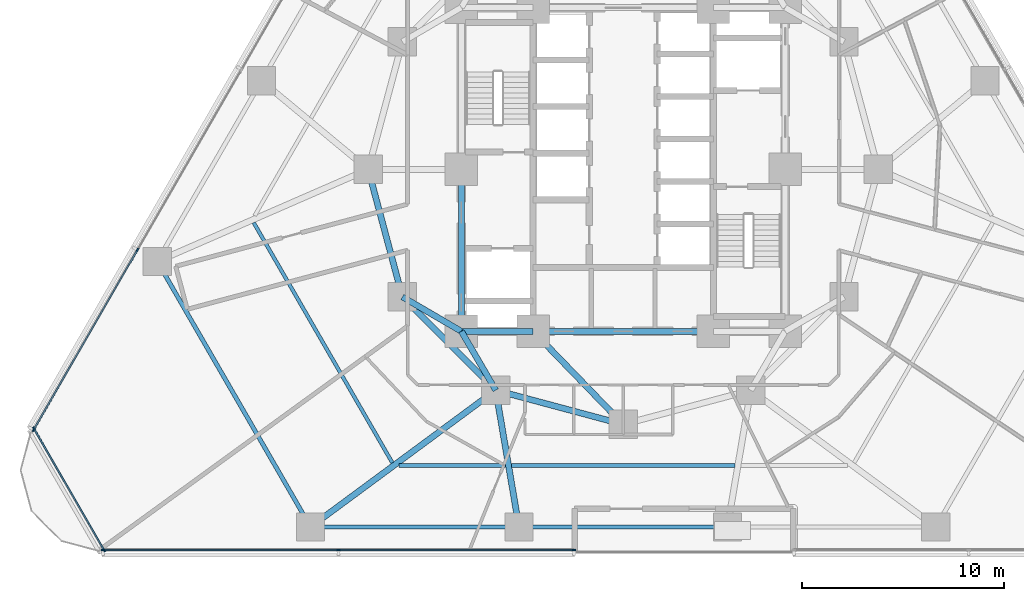
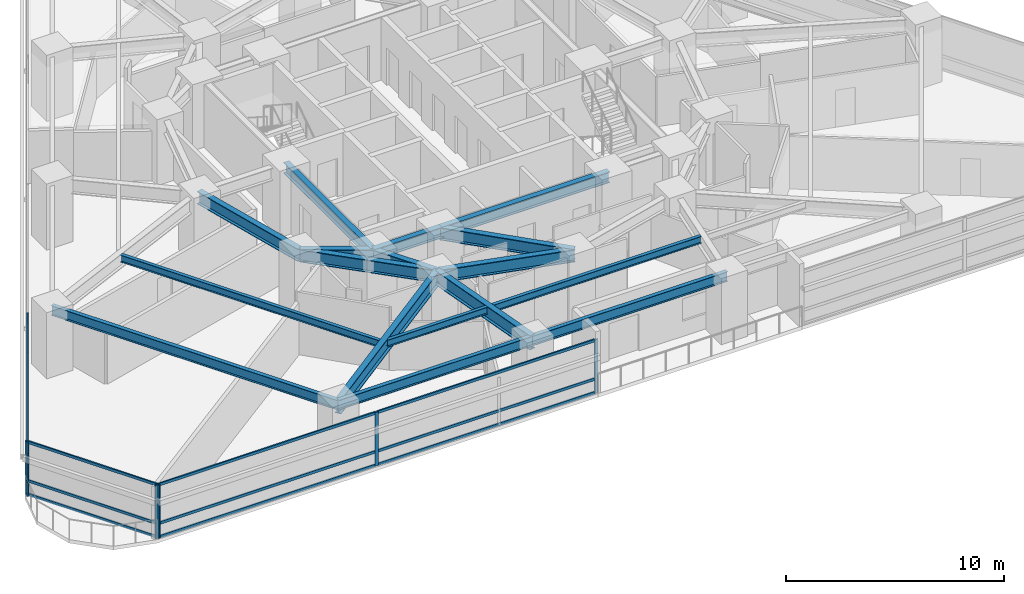
# One storey, part 2 of 16: 19 members, 17 beams, 3 elements without a shape of their own.
"""IFC4 building model written with IfcOpenShell, lengths in metres."""

import ifcopenshell
import ifcopenshell.guid

model = None  # the IFC model being written
_history = None  # IfcOwnerHistory: only IFC2X3 demands one
_inside = {}  # id of a spatial element -> (the spatial element, [elements in it])
_under = {}  # id of a project, library or spatial element -> (it, [spatial elements below it])
_declared = {}  # id of a project -> (the project, [libraries it declares])
_typed = {}  # id of a type object -> (the type object, [elements of that type])
_made_of = {}  # id of a material, layer set ... -> (it, [elements and type objects made of it])


def new_model(schema):
    """Start an empty IFC model of exactly this schema.

    Asked for "IFC4X3", IfcOpenShell would pick the latest addendum, in which some entities
    have other attributes; the version numbers below select the first issue.
    IFC2X3 requires an IfcOwnerHistory on every rooted entity: one is made here for all.
    """
    global model, _history
    if schema == "IFC4X3":
        model = ifcopenshell.file(schema_version=(4, 3, 0, 0))
    else:
        model = ifcopenshell.file(schema=schema)
    _inside.clear()
    _under.clear()
    _declared.clear()
    _typed.clear()
    _made_of.clear()
    _history = None
    if model.schema == "IFC2X3":
        org = make("IfcOrganization", Name="unknown")
        user = make(
            "IfcPersonAndOrganization",
            ThePerson=make("IfcPerson", FamilyName="unknown"),
            TheOrganization=org,
        )
        app = make(
            "IfcApplication",
            ApplicationDeveloper=org,
            Version="unknown",
            ApplicationFullName="unknown",
            ApplicationIdentifier="unknown",
        )
        _history = make(
            "IfcOwnerHistory",
            OwningUser=user,
            OwningApplication=app,
            ChangeAction="ADDED",
            CreationDate=0,
        )
    return model


def make(cls, **values):
    """One entity of the class cls with the attributes given. An attribute that is None is left unset."""
    return model.create_entity(
        cls, **{name: value for name, value in values.items() if value is not None}
    )


def rooted(cls, **values):
    """An entity with a GlobalId (a new one), such as an element, a storey or a relation."""
    return make(cls, GlobalId=ifcopenshell.guid.new(), OwnerHistory=_history, **values)


def si_unit(unit_type, name, prefix=None):
    """IfcSIUnit, for example si_unit("LENGTHUNIT", "METRE", prefix="MILLI")."""
    return make("IfcSIUnit", UnitType=unit_type, Prefix=prefix, Name=name)


def assignment(units):
    """IfcUnitAssignment: the units of a project."""
    return None if units is None else make("IfcUnitAssignment", Units=units)


def point(xyz):
    """IfcCartesianPoint."""
    return None if xyz is None else make("IfcCartesianPoint", Coordinates=xyz)


def direction(xyz):
    """IfcDirection."""
    return None if xyz is None else make("IfcDirection", DirectionRatios=xyz)


def frame(location, z_axis=None, x_axis=None):
    """IfcAxis2Placement3D, a coordinate frame: its origin and axes. An axis left out is left unset."""
    return make(
        "IfcAxis2Placement3D",
        Location=point(location),
        Axis=direction(z_axis),
        RefDirection=direction(x_axis),
    )


def frame_2d(location, x_axis=None):
    """IfcAxis2Placement2D, a coordinate frame in the plane: its origin and x axis."""
    return make(
        "IfcAxis2Placement2D", Location=point(location), RefDirection=direction(x_axis)
    )


def origin():
    """The frame at (0, 0, 0) with its axes left unset."""
    return frame((0.0, 0.0, 0.0))


def origin_2d():
    """The frame at (0, 0) in the plane with its x axis left unset."""
    return frame_2d((0.0, 0.0))


def place(relative_to, where):
    """IfcLocalPlacement: puts the frame where relative to a parent placement (None: the world)."""
    return make(
        "IfcLocalPlacement", PlacementRelTo=relative_to, RelativePlacement=where
    )


def context(
    kind, dimensions, precision=None, world=None, true_north=None, identifier=None
):
    """IfcGeometricRepresentationContext, for example the 3D "Model" context."""
    return make(
        "IfcGeometricRepresentationContext",
        ContextIdentifier=identifier,
        ContextType=kind,
        CoordinateSpaceDimension=dimensions,
        Precision=precision,
        WorldCoordinateSystem=world,
        TrueNorth=true_north,
    )


def subcontext(parent, identifier, kind, view, scale=None):
    """IfcGeometricRepresentationSubContext, for example "Body" below "Model"."""
    return make(
        "IfcGeometricRepresentationSubContext",
        ContextIdentifier=identifier,
        ContextType=kind,
        ParentContext=parent,
        TargetScale=scale,
        TargetView=view,
    )


def project(units=None, contexts=None):
    """IfcProject with its units and contexts."""
    return rooted(
        "IfcProject",
        Name="project",
        RepresentationContexts=contexts,
        UnitsInContext=assignment(units),
    )


def spatial(cls, under=None, at=None, **own):
    """A site, building, storey or space (cls), placed at a placement, below another one or the project."""
    s = rooted(cls, ObjectPlacement=at, **own)
    if under is not None:
        _under.setdefault(under.id(), (under, []))[1].append(s)
    return s


def profile(cls, at=None, kind="AREA", **sizes):
    """A parametric profile (cls). Its sizes go by their IFC names, for example OverallWidth=200.0."""
    return make(cls, ProfileType=kind, Position=at, **sizes)


def rectangle(**sizes):
    """IfcRectangleProfileDef."""
    return profile("IfcRectangleProfileDef", **sizes)


def i_section(**sizes):
    """IfcIShapeProfileDef."""
    return profile("IfcIShapeProfileDef", **sizes)


def extrude(swept, where, along, depth):
    """IfcExtrudedAreaSolid: the profile swept, set in the frame where, extruded along a direction by depth."""
    return make(
        "IfcExtrudedAreaSolid",
        SweptArea=swept,
        Position=where,
        ExtrudedDirection=direction(along),
        Depth=depth,
    )


def shape(context_of_items, identifier, shape_type, items):
    """IfcShapeRepresentation: the items that make up one representation, for example the "Body"."""
    return make(
        "IfcShapeRepresentation",
        ContextOfItems=context_of_items,
        RepresentationIdentifier=identifier,
        RepresentationType=shape_type,
        Items=items,
    )


def material(Name=None, Category=None):
    """IfcMaterial."""
    return make("IfcMaterial", Name=Name, Category=Category)


def layer(
    of_material, thickness, ventilated=None, Name=None, Category=None, Priority=None
):
    """IfcMaterialLayer: one layer of a wall or slab, of a material (None: an air gap)."""
    return make(
        "IfcMaterialLayer",
        Material=of_material,
        LayerThickness=thickness,
        IsVentilated=ventilated,
        Name=Name,
        Category=Category,
        Priority=Priority,
    )


def layer_set(layers, Name=None):
    """IfcMaterialLayerSet."""
    return make("IfcMaterialLayerSet", MaterialLayers=layers, LayerSetName=Name)


def material_profile(
    of_material, cross_section, Name=None, Category=None, Priority=None
):
    """IfcMaterialProfile: a cross section and its material."""
    return make(
        "IfcMaterialProfile",
        Name=Name,
        Material=of_material,
        Profile=cross_section,
        Priority=Priority,
        Category=Category,
    )


def profile_set(profiles, Name=None, composite=None):
    """IfcMaterialProfileSet."""
    return make(
        "IfcMaterialProfileSet",
        Name=Name,
        MaterialProfiles=profiles,
        CompositeProfile=composite,
    )


def made_of(thing, what):
    """Note that an element or type object is made of a material, layer set ...; save() writes the relation."""
    if what is not None:
        _made_of.setdefault(what.id(), (what, []))[1].append(thing)
    return thing


def type_object(cls, material=None, **own):
    """A type object (cls), such as IfcWallType, which elements share."""
    return made_of(rooted(cls, **own), material)


def element(
    cls,
    number,
    at=None,
    inside=None,
    cuts=None,
    type_object=None,
    material=None,
    context=None,
    identifier="Body",
    shape_type=None,
    held_by="IfcProductDefinitionShape",
    body=None,
    shapes=None,
    **own,
):
    """One element of the class cls, such as IfcWall. Its Tag is "e" and its number.

    at: its placement. inside: the storey or other place that contains it. cuts: it is an
    opening in that element (IfcRelVoidsElement). A single representation is given by context,
    identifier, shape_type and body (its items); several are given by shapes. held_by: the class
    of the entity that holds the representations. save() writes the other relations.
    """
    e = rooted(cls, Tag="e%d" % number, ObjectPlacement=at, **own)
    if body is not None:
        shapes = [shape(context, identifier, shape_type, body)]
    if shapes is not None:
        e.Representation = make(held_by, Representations=shapes)
    if inside is not None:
        _inside.setdefault(inside.id(), (inside, []))[1].append(e)
    if cuts is not None:
        rooted(
            "IfcRelVoidsElement", RelatingBuildingElement=cuts, RelatedOpeningElement=e
        )
    if type_object is not None:
        _typed.setdefault(type_object.id(), (type_object, []))[1].append(e)
    return made_of(e, material)


def aggregate(whole, parts):
    """IfcRelAggregates: a whole, such as a stair, and the parts it consists of."""
    return rooted("IfcRelAggregates", RelatingObject=whole, RelatedObjects=parts)


def save(model, path):
    """Write the relations noted so far, then the file.

    IfcRelAggregates (storeys below a building ...), IfcRelContainedInSpatialStructure (elements
    in a storey), IfcRelDefinesByType, IfcRelAssociatesMaterial and IfcRelDeclares: one each for
    every whole, place, type object, material and project.
    """
    for whole, parts in _under.values():
        aggregate(whole, parts)
    for where, things in _inside.values():
        rooted(
            "IfcRelContainedInSpatialStructure",
            RelatedElements=things,
            RelatingStructure=where,
        )
    for kind, things in _typed.values():
        rooted("IfcRelDefinesByType", RelatedObjects=things, RelatingType=kind)
    for what, things in _made_of.values():
        rooted("IfcRelAssociatesMaterial", RelatedObjects=things, RelatingMaterial=what)
    for by, libraries in _declared.values():
        rooted("IfcRelDeclares", RelatingContext=by, RelatedDefinitions=libraries)
    model.write(path)


model = new_model("IFC4")

# Units and contexts
model_context = context("Model", 3, precision=1e-05, world=origin(), true_north=direction((0.0, 1.0)))
body_context = subcontext(model_context, "Body", "Model", "MODEL_VIEW")
ifc_project = project(units=[si_unit("LENGTHUNIT", "METRE"), si_unit("AREAUNIT", "SQUARE_METRE"), si_unit("VOLUMEUNIT", "CUBIC_METRE"), si_unit("PLANEANGLEUNIT", "RADIAN"), si_unit("MASSUNIT", "GRAM", prefix="KILO")], contexts=[model_context])

# Site, building, storey
site_placement = place(None, origin())
site = spatial("IfcSite", under=ifc_project, at=site_placement, CompositionType="ELEMENT")
building_placement = place(site_placement, origin())
building = spatial("IfcBuilding", under=site, at=building_placement, Name="Terralouvre Media Tower", CompositionType="ELEMENT")
storey_placement = place(building_placement, frame((0.0, 0.0, 44.5)))
storey = spatial("IfcBuildingStorey", under=building, at=storey_placement, Name="L10", CompositionType="ELEMENT", Elevation=44.5)

# Beams
ifc_material_1 = material(Name="Structural steel S355J2", Category="steel")
ifc_material_profile_1 = material_profile(ifc_material_1, i_section(OverallWidth=0.179931640625, OverallDepth=0.39990234375, WebThickness=0.008544921875, FlangeThickness=0.013427734375, at=origin_2d()), Name="IPE 400")
ifc_profile_set_1 = profile_set([ifc_material_profile_1], Name="Structural steel S355J2")
beam_type_1 = type_object("IfcBeamType", Name="Composite Floor Joist J-IPE400 (IPE 400)", PredefinedType="JOIST", material=ifc_profile_set_1)
beam_1_placement = place(storey_placement, frame((-18.2587890625, -2.630615234375, 3.300048828125), z_axis=(0.500011895338, -0.866018535899, 0.0), x_axis=(0.866018535899, 0.500011895338, 0.0)))
element("IfcBeam", 1, at=beam_1_placement, inside=storey, type_object=beam_type_1, Name="L10 Framing Beam JT-L10-01", PredefinedType="JOIST", context=body_context, shape_type="SweptSolid", body=[
    extrude(i_section(OverallWidth=0.179931640625, OverallDepth=0.39990234375, WebThickness=0.008544921875, FlangeThickness=0.013427734375, at=origin_2d()), origin(), (0.0, 0.0, 1.0), 13.702392578125),
])
beam_2_placement = place(storey_placement, frame((-11.08203125, -14.627197265625, 3.300048828125), z_axis=(1.0, 0.0, 0.0), x_axis=(0.0, 1.0, 0.0)))
element("IfcBeam", 2, at=beam_2_placement, inside=storey, type_object=beam_type_1, Name="L10 Framing Beam JT-L10-02", PredefinedType="JOIST", context=body_context, shape_type="SweptSolid", body=[
    extrude(i_section(OverallWidth=0.179931640625, OverallDepth=0.39990234375, WebThickness=0.008544921875, FlangeThickness=0.013427734375, at=origin_2d()), origin(), (0.0, 0.0, 1.0), 5.264404296875),
])
beam_3_placement = place(storey_placement, frame((-5.517333984375, -14.627197265625, 3.300048828125), z_axis=(1.0, 0.0, 0.0), x_axis=(0.0, 1.0, 0.0)))
element("IfcBeam", 3, at=beam_3_placement, inside=storey, type_object=beam_type_1, Name="L10 Framing Beam JT-L10-03", PredefinedType="JOIST", context=body_context, shape_type="SweptSolid", body=[
    extrude(i_section(OverallWidth=0.179931640625, OverallDepth=0.39990234375, WebThickness=0.008544921875, FlangeThickness=0.013427734375, at=origin_2d()), origin(), (0.0, 0.0, 1.0), 11.03466796875),
])

# Curtain wall, members
ifc_material_2 = material(Name="Low-iron laminated double glazing with solar-control coating", Category="glass")
ifc_layer_1 = layer(ifc_material_2, 0.1650390625, Name="Lower Media Tower Unitised Curtain Wall CW-02")
ifc_layer_set_1 = layer_set([ifc_layer_1], Name="Low-iron laminated double glazing with solar-control coating")
curtain_wall_type_1 = type_object("IfcCurtainWallType", Name="Lower Media Tower Unitised Curtain Wall CW-02", PredefinedType="NOTDEFINED", material=ifc_layer_set_1)
curtain_wall_1_placement = place(storey_placement, origin())
curtain_wall_1 = element("IfcCurtainWall", 4, at=curtain_wall_1_placement, inside=storey, type_object=curtain_wall_type_1, Name="L10 Left Flank Curtain Wall F0", PredefinedType="NOTDEFINED")
ifc_material_3 = material(Name="Anodised extruded aluminium 6063-T6", Category="aluminium")
ifc_material_profile_2 = material_profile(ifc_material_3, rectangle(XDim=0.074951171875, YDim=0.14990234375, at=origin_2d()), Name="ALU 75x150")
ifc_profile_set_2 = profile_set([ifc_material_profile_2], Name="Anodised extruded aluminium 6063-T6")
member_type_1 = type_object("IfcMemberType", Name="Curtain-Wall Horizontal Transom TR-150", PredefinedType="USERDEFINED", material=ifc_profile_set_2)
member_1_placement = place(storey_placement, frame((-25.675048828125, -18.796875, 0.03759765625), z_axis=(1.0, 0.0, 0.0), x_axis=(0.0, 1.0, 0.0)))
member_1 = element("IfcMember", 5, at=member_1_placement, type_object=member_type_1, Name="CW-02 transom 1.1", ObjectType="TRANSOM", PredefinedType="USERDEFINED", context=body_context, shape_type="SweptSolid", body=[
    extrude(rectangle(XDim=0.074951171875, YDim=0.14990234375, at=origin_2d()), origin(), (0.0, 0.0, 1.0), 11.5625),
])
member_2_placement = place(storey_placement, frame((-25.675048828125, -18.796875, 0.800048828125), z_axis=(1.0, 0.0, 0.0), x_axis=(0.0, 1.0, 0.0)))
member_2 = element("IfcMember", 6, at=member_2_placement, type_object=member_type_1, Name="CW-02 transom 1.2", ObjectType="TRANSOM", PredefinedType="USERDEFINED", context=body_context, shape_type="SweptSolid", body=[
    extrude(rectangle(XDim=0.074951171875, YDim=0.14990234375, at=origin_2d()), origin(), (0.0, 0.0, 1.0), 11.5625),
])
member_3_placement = place(storey_placement, frame((-25.675048828125, -18.796875, 2.96240234375), z_axis=(1.0, 0.0, 0.0), x_axis=(0.0, 1.0, 0.0)))
member_3 = element("IfcMember", 7, at=member_3_placement, type_object=member_type_1, Name="CW-02 transom 1.3", ObjectType="TRANSOM", PredefinedType="USERDEFINED", context=body_context, shape_type="SweptSolid", body=[
    extrude(rectangle(XDim=0.074951171875, YDim=0.14990234375, at=origin_2d()), origin(), (0.0, 0.0, 1.0), 11.5625),
])
member_4_placement = place(storey_placement, frame((-14.03759765625, -18.796875, 0.03759765625), z_axis=(1.0, 0.0, 0.0), x_axis=(0.0, 1.0, 0.0)))
member_4 = element("IfcMember", 8, at=member_4_placement, type_object=member_type_1, Name="CW-02 transom 2.1", ObjectType="TRANSOM", PredefinedType="USERDEFINED", context=body_context, shape_type="SweptSolid", body=[
    extrude(rectangle(XDim=0.074951171875, YDim=0.14990234375, at=origin_2d()), origin(), (0.0, 0.0, 1.0), 11.5625),
])
member_5_placement = place(storey_placement, frame((-14.03759765625, -18.796875, 0.800048828125), z_axis=(1.0, 0.0, 0.0), x_axis=(0.0, 1.0, 0.0)))
member_5 = element("IfcMember", 9, at=member_5_placement, type_object=member_type_1, Name="CW-02 transom 2.2", ObjectType="TRANSOM", PredefinedType="USERDEFINED", context=body_context, shape_type="SweptSolid", body=[
    extrude(rectangle(XDim=0.074951171875, YDim=0.14990234375, at=origin_2d()), origin(), (0.0, 0.0, 1.0), 11.5625),
])
member_6_placement = place(storey_placement, frame((-14.03759765625, -18.796875, 2.96240234375), z_axis=(1.0, 0.0, 0.0), x_axis=(0.0, 1.0, 0.0)))
member_6 = element("IfcMember", 10, at=member_6_placement, type_object=member_type_1, Name="CW-02 transom 2.3", ObjectType="TRANSOM", PredefinedType="USERDEFINED", context=body_context, shape_type="SweptSolid", body=[
    extrude(rectangle(XDim=0.074951171875, YDim=0.14990234375, at=origin_2d()), origin(), (0.0, 0.0, 1.0), 11.5625),
])

curtain_wall_2_placement = place(storey_placement, origin())
curtain_wall_2 = element("IfcCurtainWall", 11, at=curtain_wall_2_placement, inside=storey, type_object=curtain_wall_type_1, Name="L10 Facade Curtain Wall F2", PredefinedType="NOTDEFINED")
member_7_placement = place(storey_placement, frame((-24.022216796875, -4.01416015625, 0.03759765625), z_axis=(-0.499994895054, -0.866028351106, 0.0), x_axis=(0.866028351106, -0.499994895054, 0.0)))
member_7 = element("IfcMember", 12, at=member_7_placement, type_object=member_type_1, Name="CW-02 transom 5.1", ObjectType="TRANSOM", PredefinedType="USERDEFINED", context=body_context, shape_type="SweptSolid", body=[
    extrude(rectangle(XDim=0.074951171875, YDim=0.14990234375, at=origin_2d()), origin(), (0.0, 0.0, 1.0), 10.1875),
])
member_8_placement = place(storey_placement, frame((-24.022216796875, -4.01416015625, 0.800048828125), z_axis=(-0.499994895054, -0.866028351106, 0.0), x_axis=(0.866028351106, -0.499994895054, 0.0)))
member_8 = element("IfcMember", 13, at=member_8_placement, type_object=member_type_1, Name="CW-02 transom 5.2", ObjectType="TRANSOM", PredefinedType="USERDEFINED", context=body_context, shape_type="SweptSolid", body=[
    extrude(rectangle(XDim=0.074951171875, YDim=0.14990234375, at=origin_2d()), origin(), (0.0, 0.0, 1.0), 10.1875),
])
member_9_placement = place(storey_placement, frame((-24.022216796875, -4.01416015625, 2.96240234375), z_axis=(-0.499994895054, -0.866028351106, 0.0), x_axis=(0.866028351106, -0.499994895054, 0.0)))
member_9 = element("IfcMember", 14, at=member_9_placement, type_object=member_type_1, Name="CW-02 transom 5.3", ObjectType="TRANSOM", PredefinedType="USERDEFINED", context=body_context, shape_type="SweptSolid", body=[
    extrude(rectangle(XDim=0.074951171875, YDim=0.14990234375, at=origin_2d()), origin(), (0.0, 0.0, 1.0), 10.1875),
])

ifc_material_4 = material(Name="Low-iron laminated double glazing with solar-control coating", Category="glass")
ifc_layer_2 = layer(ifc_material_4, 0.1650390625, Name="Rounded Wind-Corner Curved Glazing CW-04")
ifc_layer_set_2 = layer_set([ifc_layer_2], Name="Low-iron laminated double glazing with solar-control coating")
curtain_wall_type_2 = type_object("IfcCurtainWallType", Name="Rounded Wind-Corner Curved Glazing CW-04", PredefinedType="NOTDEFINED", material=ifc_layer_set_2)
curtain_wall_3_placement = place(storey_placement, origin())
curtain_wall_3 = element("IfcCurtainWall", 15, at=curtain_wall_3_placement, inside=storey, type_object=curtain_wall_type_2, Name="L10 Rounded Wind-Corner Curtain Wall C0", PredefinedType="NOTDEFINED")
member_10_placement = place(storey_placement, frame((-29.0986328125, -12.836669921875, 0.03759765625), z_axis=(0.499998495495, -0.866026272409, 0.0), x_axis=(0.866026272409, 0.499998495495, 0.0)))
member_10 = element("IfcMember", 16, at=member_10_placement, type_object=member_type_1, Name="CW-04 transom 1.1", ObjectType="TRANSOM", PredefinedType="USERDEFINED", context=body_context, shape_type="SweptSolid", body=[
    extrude(rectangle(XDim=0.074951171875, YDim=0.14990234375, at=origin_2d()), origin(), (0.0, 0.0, 1.0), 6.86474609375),
])
member_11_placement = place(storey_placement, frame((-29.0986328125, -12.836669921875, 0.800048828125), z_axis=(0.499998495495, -0.866026272409, 0.0), x_axis=(0.866026272409, 0.499998495495, 0.0)))
member_11 = element("IfcMember", 17, at=member_11_placement, type_object=member_type_1, Name="CW-04 transom 1.2", ObjectType="TRANSOM", PredefinedType="USERDEFINED", context=body_context, shape_type="SweptSolid", body=[
    extrude(rectangle(XDim=0.074951171875, YDim=0.14990234375, at=origin_2d()), origin(), (0.0, 0.0, 1.0), 6.86474609375),
])
member_12_placement = place(storey_placement, frame((-29.0986328125, -12.836669921875, 2.96240234375), z_axis=(0.499998495495, -0.866026272409, 0.0), x_axis=(0.866026272409, 0.499998495495, 0.0)))
member_12 = element("IfcMember", 18, at=member_12_placement, type_object=member_type_1, Name="CW-04 transom 1.3", ObjectType="TRANSOM", PredefinedType="USERDEFINED", context=body_context, shape_type="SweptSolid", body=[
    extrude(rectangle(XDim=0.074951171875, YDim=0.14990234375, at=origin_2d()), origin(), (0.0, 0.0, 1.0), 6.86474609375),
])

# Member
ifc_material_5 = material(Name="Anodised extruded aluminium 6063-T6", Category="aluminium")
ifc_material_profile_3 = material_profile(ifc_material_5, rectangle(XDim=0.074951171875, YDim=0.179931640625, at=origin_2d()), Name="ALU 75x180")
ifc_profile_set_3 = profile_set([ifc_material_profile_3], Name="Anodised extruded aluminium 6063-T6")
member_type_2 = type_object("IfcMemberType", Name="Curtain-Wall Vertical Mullion ML-180", PredefinedType="MULLION", material=ifc_profile_set_3)
member_13_placement = place(storey_placement, frame((-25.71240234375, -18.796875, 0.0), z_axis=(0.0, 0.0, 1.0), x_axis=(0.0, 1.0, 0.0)))
member_13 = element("IfcMember", 19, at=member_13_placement, type_object=member_type_2, Name="CW-02 mullion 1", PredefinedType="MULLION", context=body_context, shape_type="SweptSolid", body=[
    extrude(rectangle(XDim=0.074951171875, YDim=0.179931640625, at=origin_2d()), origin(), (0.0, 0.0, 1.0), 3.0),
])

member_14_placement = place(storey_placement, frame((-14.074951171875, -18.796875, 0.0), z_axis=(0.0, 0.0, 1.0), x_axis=(0.0, 1.0, 0.0)))
member_14 = element("IfcMember", 20, at=member_14_placement, type_object=member_type_2, Name="CW-02 mullion 2", PredefinedType="MULLION", context=body_context, shape_type="SweptSolid", body=[
    extrude(rectangle(XDim=0.074951171875, YDim=0.179931640625, at=origin_2d()), origin(), (0.0, 0.0, 1.0), 3.0),
])

member_15_placement = place(storey_placement, frame((-2.4375, -18.796875, 0.0), z_axis=(0.0, 0.0, 1.0), x_axis=(0.0, 1.0, 0.0)))
member_15 = element("IfcMember", 21, at=member_15_placement, type_object=member_type_2, Name="CW-02 mullion 3", PredefinedType="MULLION", context=body_context, shape_type="SweptSolid", body=[
    extrude(rectangle(XDim=0.074951171875, YDim=0.179931640625, at=origin_2d()), origin(), (0.0, 0.0, 1.0), 3.0),
])

aggregate(curtain_wall_1, [member_13, member_14, member_15, member_1, member_2, member_3, member_4, member_5, member_6])

member_16_placement = place(storey_placement, frame((-24.00341796875, -3.981689453125, 0.0), z_axis=(0.0, 0.0, 1.0), x_axis=(0.866025412057, -0.499999985671, 0.0)))
member_16 = element("IfcMember", 22, at=member_16_placement, type_object=member_type_2, Name="CW-02 mullion 5", PredefinedType="MULLION", context=body_context, shape_type="SweptSolid", body=[
    extrude(rectangle(XDim=0.074951171875, YDim=0.179931640625, at=origin_2d()), origin(), (0.0, 0.0, 1.0), 3.0),
])

member_17_placement = place(storey_placement, frame((-29.134765625, -12.869384765625, 0.0), z_axis=(0.0, 0.0, 1.0), x_axis=(0.866025412057, -0.499999985671, 0.0)))
member_17 = element("IfcMember", 23, at=member_17_placement, type_object=member_type_2, Name="CW-02 mullion 6", PredefinedType="MULLION", context=body_context, shape_type="SweptSolid", body=[
    extrude(rectangle(XDim=0.074951171875, YDim=0.179931640625, at=origin_2d()), origin(), (0.0, 0.0, 1.0), 3.0),
])

aggregate(curtain_wall_2, [member_16, member_17, member_7, member_8, member_9])

member_18_placement = place(storey_placement, frame((-29.117431640625, -12.80419921875, 0.0), z_axis=(0.0, 0.0, 1.0), x_axis=(0.866025581895, 0.499999691503, 0.0)))
member_18 = element("IfcMember", 24, at=member_18_placement, type_object=member_type_2, Name="CW-04 mullion 1", PredefinedType="MULLION", context=body_context, shape_type="SweptSolid", body=[
    extrude(rectangle(XDim=0.074951171875, YDim=0.179931640625, at=origin_2d()), origin(), (0.0, 0.0, 1.0), 3.0),
])

member_19_placement = place(storey_placement, frame((-25.6474609375, -18.814208984375, 0.0), z_axis=(0.0, 0.0, 1.0), x_axis=(0.866025581895, 0.499999691503, 0.0)))
member_19 = element("IfcMember", 25, at=member_19_placement, type_object=member_type_2, Name="CW-04 mullion 2", PredefinedType="MULLION", context=body_context, shape_type="SweptSolid", body=[
    extrude(rectangle(XDim=0.074951171875, YDim=0.179931640625, at=origin_2d()), origin(), (0.0, 0.0, 1.0), 3.0),
])

aggregate(curtain_wall_3, [member_18, member_19, member_10, member_11, member_12])

# Beams
ifc_material_6 = material(Name="Structural steel S355J2", Category="steel")
ifc_material_profile_4 = material_profile(ifc_material_6, i_section(OverallWidth=0.2099609375, OverallDepth=0.550048828125, WebThickness=0.010986328125, FlangeThickness=0.01708984375, at=origin_2d()), Name="IPE 550")
ifc_profile_set_4 = profile_set([ifc_material_profile_4], Name="Structural steel S355J2")
beam_type_2 = type_object("IfcBeamType", Name="Perimeter Spandrel Beam SPB-550 (IPE 550)", PredefinedType="SPANDREL", material=ifc_profile_set_4)
beam_4_placement = place(storey_placement, frame((-23.02490234375, -4.546630859375, 3.22509765625), z_axis=(0.500002375365, -0.866024032363, 0.0), x_axis=(0.866024032363, 0.500002375365, 0.0)))
element("IfcBeam", 26, at=beam_4_placement, inside=storey, type_object=beam_type_2, Name="L10 Framing Beam BM-L10-PR01", PredefinedType="SPANDREL", context=body_context, shape_type="SweptSolid", body=[
    extrude(i_section(OverallWidth=0.2099609375, OverallDepth=0.550048828125, WebThickness=0.010986328125, FlangeThickness=0.01708984375, at=origin_2d()), origin(), (0.0, 0.0, 1.0), 15.14990234375),
])
beam_5_placement = place(storey_placement, frame((-15.449951171875, -17.666748046875, 3.22509765625), z_axis=(1.0, 0.0, 0.0), x_axis=(0.0, 1.0, 0.0)))
element("IfcBeam", 27, at=beam_5_placement, inside=storey, type_object=beam_type_2, Name="L10 Framing Beam BM-L10-PR02", PredefinedType="SPANDREL", context=body_context, shape_type="SweptSolid", body=[
    extrude(i_section(OverallWidth=0.2099609375, OverallDepth=0.550048828125, WebThickness=0.010986328125, FlangeThickness=0.01708984375, at=origin_2d()), origin(), (0.0, 0.0, 1.0), 10.300048828125),
])
beam_6_placement = place(storey_placement, frame((-5.14990234375, -17.666748046875, 3.22509765625), z_axis=(1.0, 0.0, 0.0), x_axis=(0.0, 1.0, 0.0)))
element("IfcBeam", 28, at=beam_6_placement, inside=storey, type_object=beam_type_2, Name="L10 Framing Beam BM-L10-PR03", PredefinedType="SPANDREL", context=body_context, shape_type="SweptSolid", body=[
    extrude(i_section(OverallWidth=0.2099609375, OverallDepth=0.550048828125, WebThickness=0.010986328125, FlangeThickness=0.01708984375, at=origin_2d()), origin(), (0.0, 0.0, 1.0), 10.2998046875),
])
ifc_material_7 = material(Name="Structural steel S460M", Category="steel")
ifc_material_profile_5 = material_profile(ifc_material_7, i_section(OverallWidth=0.300048828125, OverallDepth=0.60009765625, WebThickness=0.015380859375, FlangeThickness=0.030029296875, at=origin_2d()), Name="HEB 600")
ifc_profile_set_5 = profile_set([ifc_material_profile_5], Name="Structural steel S460M")
beam_type_3 = type_object("IfcBeamType", Name="Primary Floor Girder B-HEB600 (HEB 600)", PredefinedType="BEAM", material=ifc_profile_set_5)
beam_7_placement = place(storey_placement, frame((-8.0, -8.0, 3.199951171875), z_axis=(1.0, 0.0, 0.0), x_axis=(0.0, 1.0, 0.0)))
element("IfcBeam", 29, at=beam_7_placement, inside=storey, type_object=beam_type_3, Name="L10 Framing Beam BM-L10-CPR01", PredefinedType="BEAM", context=body_context, shape_type="SweptSolid", body=[
    extrude(i_section(OverallWidth=0.300048828125, OverallDepth=0.60009765625, WebThickness=0.015380859375, FlangeThickness=0.030029296875, at=origin_2d()), origin(), (0.0, 0.0, 1.0), 3.550048828125),
])
beam_8_placement = place(storey_placement, frame((-4.449951171875, -8.0, 3.199951171875), z_axis=(1.0, 0.0, 0.0), x_axis=(0.0, 1.0, 0.0)))
element("IfcBeam", 30, at=beam_8_placement, inside=storey, type_object=beam_type_3, Name="L10 Framing Beam BM-L10-CPR02", PredefinedType="BEAM", context=body_context, shape_type="SweptSolid", body=[
    extrude(i_section(OverallWidth=0.300048828125, OverallDepth=0.60009765625, WebThickness=0.015380859375, FlangeThickness=0.030029296875, at=origin_2d()), origin(), (0.0, 0.0, 1.0), 8.89990234375),
])
beam_9_placement = place(storey_placement, frame((-8.0, 0.0, 3.199951171875), z_axis=(0.0, -1.0, 0.0), x_axis=(1.0, 0.0, 0.0)))
element("IfcBeam", 31, at=beam_9_placement, inside=storey, type_object=beam_type_3, Name="L10 Framing Beam BM-L10-CPR10", PredefinedType="BEAM", context=body_context, shape_type="SweptSolid", body=[
    extrude(i_section(OverallWidth=0.300048828125, OverallDepth=0.60009765625, WebThickness=0.015380859375, FlangeThickness=0.030029296875, at=origin_2d()), origin(), (0.0, 0.0, 1.0), 8.0),
])
ifc_material_8 = material(Name="Structural steel S460M", Category="steel")
ifc_material_profile_6 = material_profile(ifc_material_8, i_section(OverallWidth=0.300048828125, OverallDepth=0.699951171875, WebThickness=0.01708984375, FlangeThickness=0.031982421875, at=origin_2d()), Name="HEB 700")
ifc_profile_set_6 = profile_set([ifc_material_profile_6], Name="Structural steel S460M")
beam_type_4 = type_object("IfcBeamType", Name="Primary Floor Girder B-HEB700 (HEB 700)", PredefinedType="BEAM", material=ifc_profile_set_6)
beam_10_placement = place(storey_placement, frame((-10.911865234375, -6.300048828125, 3.14990234375), z_axis=(0.707106781187, -0.707106781187, 0.0), x_axis=(0.707106781187, 0.707106781187, 0.0)))
element("IfcBeam", 32, at=beam_10_placement, inside=storey, type_object=beam_type_4, Name="L10 Framing Beam BM-L10-MR01", PredefinedType="BEAM", context=body_context, shape_type="SweptSolid", body=[
    extrude(i_section(OverallWidth=0.300048828125, OverallDepth=0.699951171875, WebThickness=0.01708984375, FlangeThickness=0.031982421875, at=origin_2d()), origin(), (0.0, 0.0, 1.0), 6.52197265625),
])
for number, where, z_axis, x_axis, name in (
    (33, (-6.300048828125, -10.911865234375, 3.14990234375), (0.965920481897, -0.258838989821, 0.0), (0.258838989821, 0.965920481897, 0.0), "L10 Framing Beam BM-L10-MR02"),
    (34, (-12.60009765625, 0.0, 3.14990234375), (0.258838989821, -0.965920481897, 0.0), (0.965920481897, 0.258838989821, 0.0), "L10 Framing Beam BM-L10-MR12"),
):
    element("IfcBeam", number, at=place(storey_placement, frame(where, z_axis=z_axis, x_axis=x_axis)), inside=storey, type_object=beam_type_4, Name=name, PredefinedType="BEAM", context=body_context, shape_type="SweptSolid", body=[
        extrude(i_section(OverallWidth=0.300048828125, OverallDepth=0.699951171875, WebThickness=0.01708984375, FlangeThickness=0.031982421875, at=origin_2d()), origin(), (0.0, 0.0, 1.0), 6.522216796875),
    ])
for number, where, z_axis, x_axis, name in (
    (35, (-8.0, -8.0, 3.14990234375), (-0.863602894532, 0.504172629717, 0.0), (-0.504172629717, -0.863602894532, 0.0), "L10 Framing Beam BM-L10-CM01"),
    (36, (-8.0, -8.0, 3.14990234375), (0.504172629717, -0.863602894532, 0.0), (0.863602894532, 0.504172629717, 0.0), "L10 Framing Beam BM-L10-CM02"),
):
    element("IfcBeam", number, at=place(storey_placement, frame(where, z_axis=z_axis, x_axis=x_axis)), inside=storey, type_object=beam_type_4, Name=name, PredefinedType="BEAM", context=body_context, shape_type="SweptSolid", body=[
        extrude(i_section(OverallWidth=0.300048828125, OverallDepth=0.699951171875, WebThickness=0.01708984375, FlangeThickness=0.031982421875, at=origin_2d()), origin(), (0.0, 0.0, 1.0), 3.371826171875),
    ])
beam_11_placement = place(storey_placement, frame((-4.449951171875, -8.0, 3.14990234375), z_axis=(0.695279715726, -0.718739255155, 0.0), x_axis=(0.718739255155, 0.695279715726, 0.0)))
element("IfcBeam", 37, at=beam_11_placement, inside=storey, type_object=beam_type_4, Name="L10 Framing Beam BM-L10-CM03", PredefinedType="BEAM", context=body_context, shape_type="SweptSolid", body=[
    extrude(i_section(OverallWidth=0.300048828125, OverallDepth=0.699951171875, WebThickness=0.01708984375, FlangeThickness=0.031982421875, at=origin_2d()), origin(), (0.0, 0.0, 1.0), 6.400146484375),
])
ifc_material_9 = material(Name="Structural steel S460M", Category="steel")
ifc_material_profile_7 = material_profile(ifc_material_9, i_section(OverallWidth=0.300048828125, OverallDepth=0.800048828125, WebThickness=0.017578125, FlangeThickness=0.032958984375, at=origin_2d()), Name="HEB 800")
ifc_profile_set_7 = profile_set([ifc_material_profile_7], Name="Structural steel S460M")
beam_type_5 = type_object("IfcBeamType", Name="Primary Floor Girder B-HEB800 (HEB 800)", PredefinedType="BEAM", material=ifc_profile_set_7)
beam_12_placement = place(storey_placement, frame((-6.300048828125, -10.911865234375, 3.10009765625), z_axis=(-0.804515955091, -0.593931038088, 0.0), x_axis=(0.593931038088, -0.804515955091, 0.0)))
element("IfcBeam", 38, at=beam_12_placement, inside=storey, type_object=beam_type_5, Name="L10 Framing Beam BM-L10-RD02", PredefinedType="BEAM", context=body_context, shape_type="SweptSolid", body=[
    extrude(i_section(OverallWidth=0.300048828125, OverallDepth=0.800048828125, WebThickness=0.017578125, FlangeThickness=0.032958984375, at=origin_2d()), origin(), (0.0, 0.0, 1.0), 11.373291015625),
])
beam_13_placement = place(storey_placement, frame((-6.300048828125, -10.911865234375, 3.10009765625), z_axis=(0.167853129882, -0.98581201392, 0.0), x_axis=(0.98581201392, 0.167853129882, 0.0)))
element("IfcBeam", 39, at=beam_13_placement, inside=storey, type_object=beam_type_5, Name="L10 Framing Beam BM-L10-RD03", PredefinedType="BEAM", context=body_context, shape_type="SweptSolid", body=[
    extrude(i_section(OverallWidth=0.300048828125, OverallDepth=0.800048828125, WebThickness=0.017578125, FlangeThickness=0.032958984375, at=origin_2d()), origin(), (0.0, 0.0, 1.0), 6.85205078125),
])

save(model, "model.ifc")
